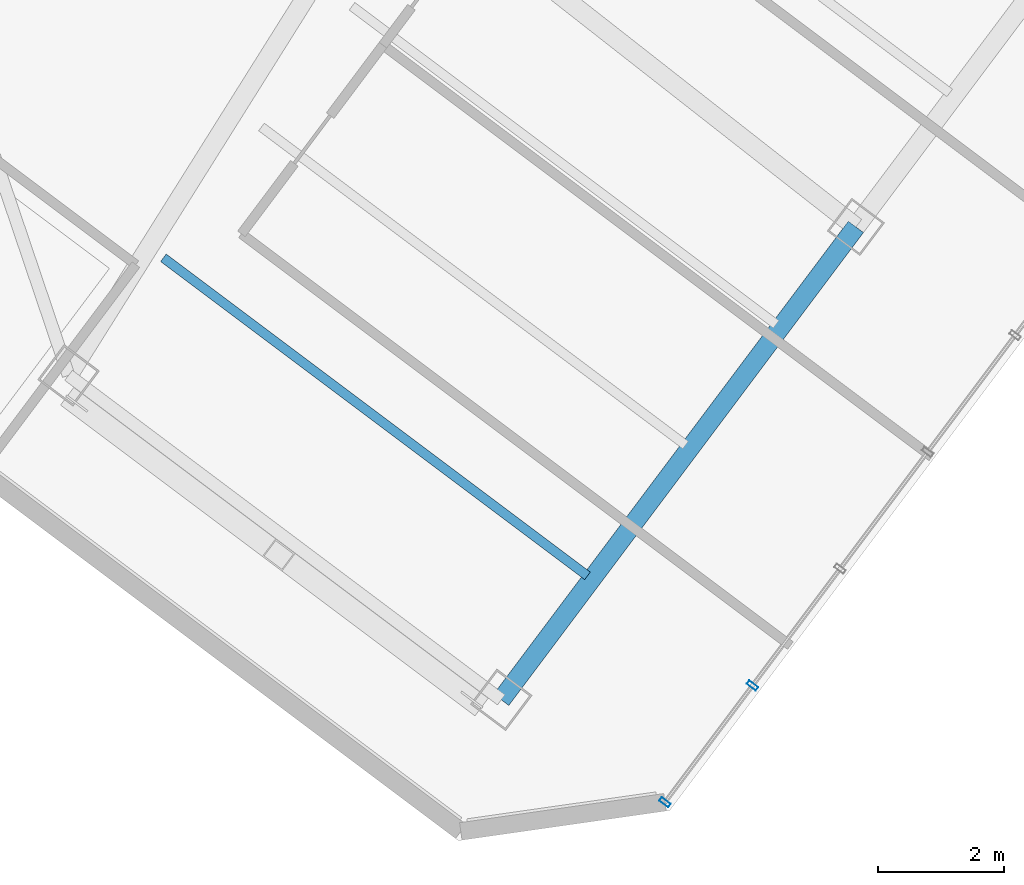
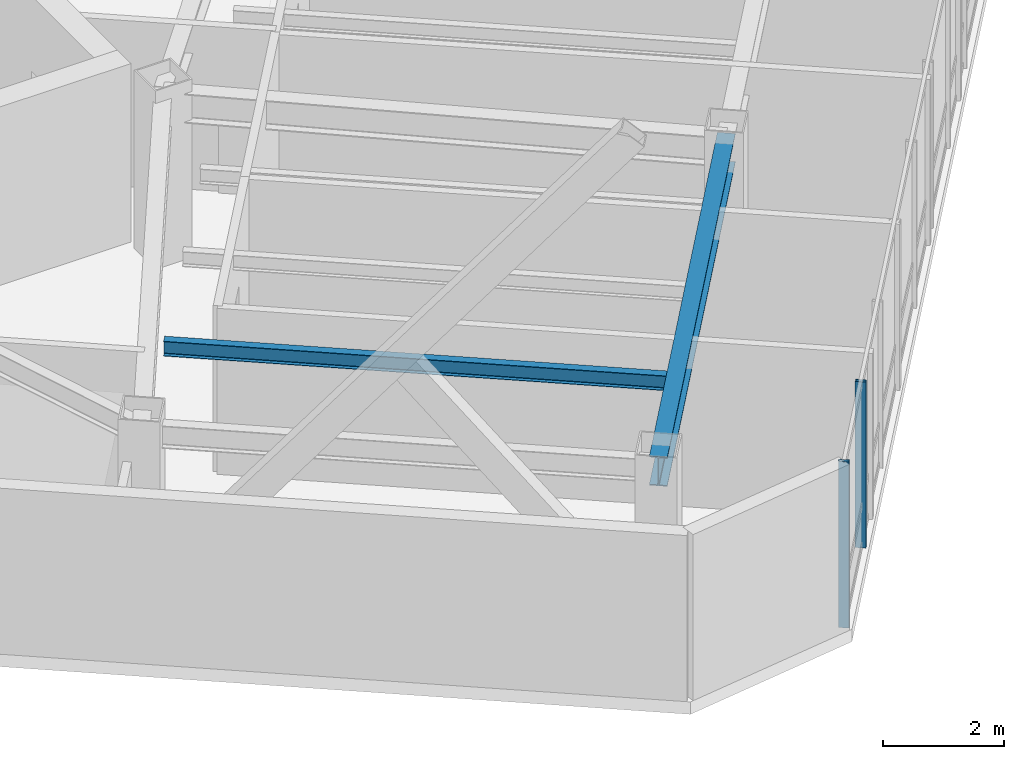
# One storey, part 2 of 25: 2 beams, 2 members, 1 element without a shape of its own.
"""IFC4 building model written with IfcOpenShell, lengths in metres."""

from ifc_helpers import new_model, si_unit, direction, frame, origin, origin_2d, place, context, subcontext, project, spatial, hollow_rectangle, i_section, extrude, material, layer, layer_set, material_profile, profile_set, type_object, element, aggregate, save


model = new_model("IFC4")

# Units and contexts
model_context = context("Model", 3, precision=1e-05, world=origin(), true_north=direction((0.0, 1.0)))
body_context = subcontext(model_context, "Body", "Model", "MODEL_VIEW")
ifc_project = project(units=[si_unit("LENGTHUNIT", "METRE"), si_unit("AREAUNIT", "SQUARE_METRE"), si_unit("VOLUMEUNIT", "CUBIC_METRE"), si_unit("PLANEANGLEUNIT", "RADIAN"), si_unit("MASSUNIT", "GRAM", prefix="KILO")], contexts=[model_context])

# Site, building, storey
site_placement = place(None, origin())
site = spatial("IfcSite", under=ifc_project, at=site_placement, CompositionType="ELEMENT")
building_placement = place(site_placement, origin())
building = spatial("IfcBuilding", under=site, at=building_placement, Name="Hatsunagi Terrace Concourse", CompositionType="ELEMENT")
storey_placement = place(building_placement, frame((0.0, 0.0, 223.949951171875)))
storey = spatial("IfcBuildingStorey", under=building, at=storey_placement, Name="L59", CompositionType="ELEMENT", Elevation=223.949951171875)

# Curtain wall, members
ifc_material_1 = material(Name="Anodised Aluminium Alloy 6063-T5", Category="aluminium")
ifc_layer = layer(ifc_material_1, 0.199951171875)
ifc_layer_set = layer_set([ifc_layer], Name="OfficeZone2_CW04")
curtain_wall_type = type_object("IfcCurtainWallType", Name="OfficeZone2_CW04", PredefinedType="NOTDEFINED", material=ifc_layer_set)
curtain_wall_placement = place(storey_placement, origin())
curtain_wall = element("IfcCurtainWall", 1, at=curtain_wall_placement, inside=storey, type_object=curtain_wall_type, Name="Unitised Curtain Wall CW-04 CW-L59-03", PredefinedType="NOTDEFINED")
ifc_material_2 = material(Name="Anodised Aluminium Alloy 6063-T5", Category="aluminium")
ifc_material_profile_1 = material_profile(ifc_material_2, hollow_rectangle(XDim=0.070068359375, YDim=0.179931640625, WallThickness=0.00390625, at=origin_2d()), Name="ALU-MUL-180x70x4")
ifc_profile_set_1 = profile_set([ifc_material_profile_1], Name="Anodised Aluminium Alloy 6063-T5")
member_type = type_object("IfcMemberType", Name="CurtainWallMullion_180x70", PredefinedType="MULLION", material=ifc_profile_set_1)
member_1_placement = place(storey_placement, frame((49.554931640625, 11.10595703125, 0.0), z_axis=(0.0, 0.0, 1.0), x_axis=(-0.599969314634, -0.800023013105, 0.0)))
member_1 = element("IfcMember", 2, at=member_1_placement, type_object=member_type, Name="Curtain Wall Mullion MUL-02", PredefinedType="MULLION", context=body_context, shape_type="SweptSolid", body=[
    extrude(hollow_rectangle(XDim=0.070068359375, YDim=0.179931640625, WallThickness=0.00390625, at=origin_2d()), origin(), (0.0, 0.0, 1.0), 3.35009765625),
])
member_2_placement = place(storey_placement, frame((48.1630859375, 9.25, 0.0), z_axis=(0.0, 0.0, 1.0), x_axis=(-0.599969314634, -0.800023013105, 0.0)))
member_2 = element("IfcMember", 3, at=member_2_placement, type_object=member_type, Name="Curtain Wall Mullion MUL-02", PredefinedType="MULLION", context=body_context, shape_type="SweptSolid", body=[
    extrude(hollow_rectangle(XDim=0.070068359375, YDim=0.179931640625, WallThickness=0.00390625, at=origin_2d()), origin(), (0.0, 0.0, 1.0), 3.35009765625),
])
aggregate(curtain_wall, [member_1, member_2])

# Beams
ifc_material_3 = material(Name="Steel SN490B", Category="steel")
ifc_material_profile_2 = material_profile(ifc_material_3, i_section(OverallWidth=0.300048828125, OverallDepth=0.587890625, WebThickness=0.011962890625, FlangeThickness=0.02001953125, FilletRadius=0.01806640625, at=origin_2d()), Name="H-588x300x12x20")
ifc_profile_set_2 = profile_set([ifc_material_profile_2], Name="Steel SN490B")
beam_type_1 = type_object("IfcBeamType", Name="OfficeHighGirder_H_588x300", PredefinedType="BEAM", material=ifc_profile_set_2)
beam_1_placement = place(storey_placement, frame((45.56005859375, 10.8798828125, 3.05615234375), z_axis=(0.599991688754, 0.800006233367, 0.0), x_axis=(-0.800006233367, 0.599991688754, 0.0)))
element("IfcBeam", 4, at=beam_1_placement, inside=storey, type_object=beam_type_1, Name="Beam G-06 BM-L59-SET-2A", PredefinedType="BEAM", context=body_context, shape_type="SweptSolid", body=[
    extrude(i_section(OverallWidth=0.300048828125, OverallDepth=0.587890625, WebThickness=0.011962890625, FlangeThickness=0.02001953125, FilletRadius=0.01806640625, at=origin_2d()), origin(), (0.0, 0.0, 1.0), 9.39990234375),
])
ifc_material_4 = material(Name="Steel SN490B", Category="steel")
ifc_material_profile_3 = material_profile(ifc_material_4, i_section(OverallWidth=0.14990234375, OverallDepth=0.300048828125, WebThickness=0.006591796875, FlangeThickness=0.009033203125, FilletRadius=0.010986328125, at=origin_2d()), Name="H-300x150x6.5x9")
ifc_profile_set_3 = profile_set([ifc_material_profile_3], Name="Steel SN490B")
beam_type_2 = type_object("IfcBeamType", Name="OfficeJoist_H_300x150", PredefinedType="JOIST", material=ifc_profile_set_3)
beam_2_placement = place(storey_placement, frame((40.18798828125, 17.908935546875, 3.199951171875), z_axis=(0.800003475366, -0.59999536615, 0.0), x_axis=(0.59999536615, 0.800003475366, 0.0)))
element("IfcBeam", 5, at=beam_2_placement, inside=storey, type_object=beam_type_2, Name="Beam J-03 J-L59-SE-2-46", PredefinedType="JOIST", context=body_context, shape_type="SweptSolid", body=[
    extrude(i_section(OverallWidth=0.14990234375, OverallDepth=0.300048828125, WebThickness=0.006591796875, FlangeThickness=0.009033203125, FilletRadius=0.010986328125, at=origin_2d()), origin(), (0.0, 0.0, 1.0), 8.429931640625),
])

save(model, "model.ifc")
